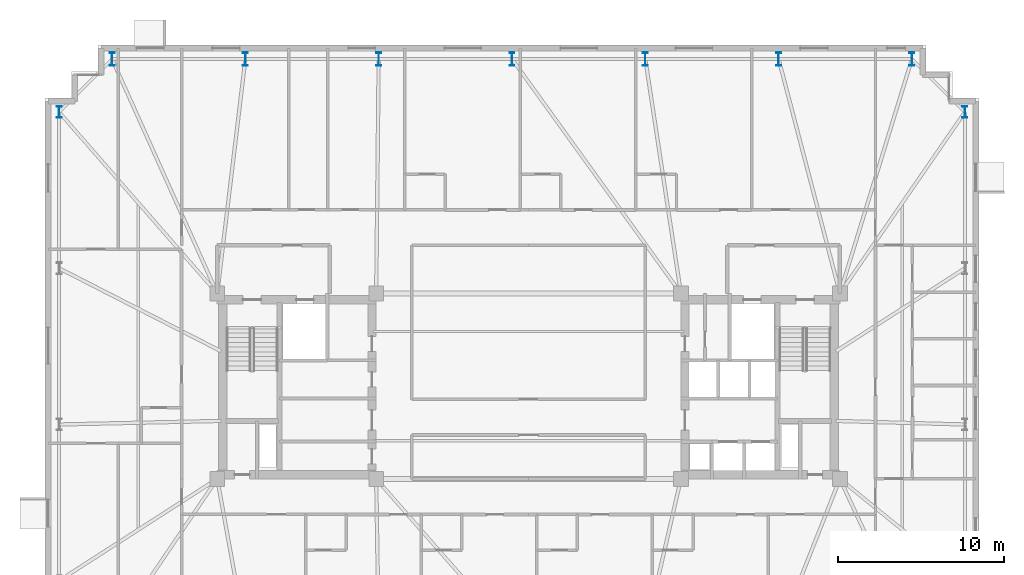
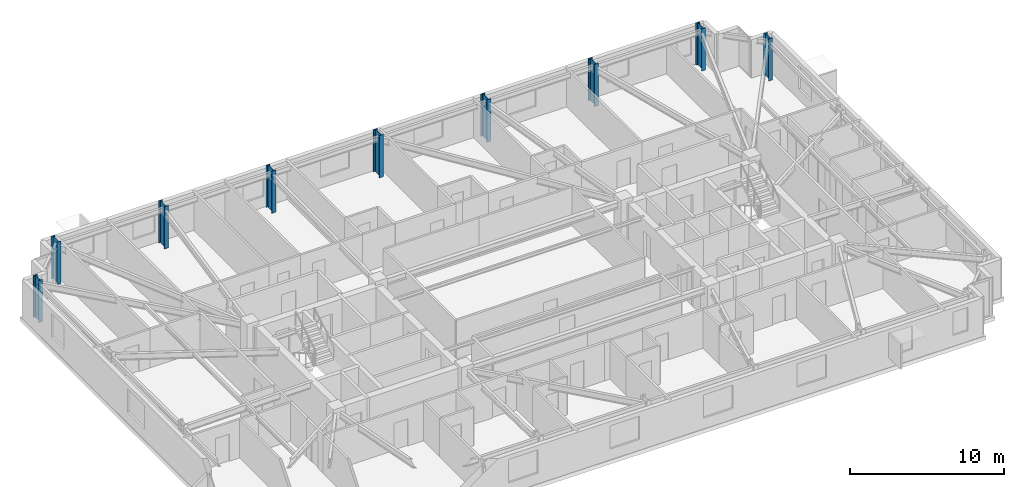
# One storey, part 2 of 17: 9 columns.
"""IFC4 building model written with IfcOpenShell, lengths in metres."""

from ifc_helpers import new_model, si_unit, direction, frame, origin, origin_2d, place, context, subcontext, project, spatial, i_section, extrude, material, material_profile, profile_set, type_object, element, save


model = new_model("IFC4")

# Units and contexts
model_context = context("Model", 3, precision=1e-05, world=origin(), true_north=direction((0.0, 1.0)))
body_context = subcontext(model_context, "Body", "Model", "MODEL_VIEW")
ifc_project = project(units=[si_unit("LENGTHUNIT", "METRE"), si_unit("AREAUNIT", "SQUARE_METRE"), si_unit("VOLUMEUNIT", "CUBIC_METRE"), si_unit("PLANEANGLEUNIT", "RADIAN"), si_unit("MASSUNIT", "GRAM", prefix="KILO")], contexts=[model_context])

# Site, building, storey
site_placement = place(None, origin())
site = spatial("IfcSite", under=ifc_project, at=site_placement, CompositionType="ELEMENT")
building_placement = place(site_placement, origin())
building = spatial("IfcBuilding", under=site, at=building_placement, Name="Qobustan Lattice House", CompositionType="ELEMENT")
storey_placement = place(building_placement, frame((0.0, 0.0, 161.14990234375)))
storey = spatial("IfcBuildingStorey", under=building, at=storey_placement, Name="L45", CompositionType="ELEMENT", Elevation=161.14990234375)

# Columns
ifc_material_1 = material(Name="Steel S355", Category="steel")
ifc_material_profile_1 = material_profile(ifc_material_1, i_section(OverallWidth=0.300048828125, OverallDepth=0.699951171875, WebThickness=0.01708984375, FlangeThickness=0.031982421875, FilletRadius=0.027099609375, at=origin_2d()), Name="HEB700")
ifc_profile_set_1 = profile_set([ifc_material_profile_1], Name="Steel S355")
column_type_1 = type_object("IfcColumnType", Name="COL-ST-HEB700", PredefinedType="COLUMN", material=ifc_profile_set_1)
for number, where, z_axis, x_axis, name in (
    (1, (26.35009765625, 16.550048828125, 0.0), (0.0, 0.0, 1.0), (1.0, 0.0, 0.0), "L45 B3 perimeter column E4"),
    (2, (-28.35009765625, 16.550048828125, 0.0), (0.0, 0.0, 1.0), (1.0, 0.0, 0.0), "L45 B3 perimeter column W1"),
):
    element("IfcColumn", number, at=place(storey_placement, frame(where, z_axis=z_axis, x_axis=x_axis)), inside=storey, type_object=column_type_1, Name=name, PredefinedType="COLUMN", context=body_context, shape_type="SweptSolid", body=[
        extrude(i_section(OverallWidth=0.300048828125, OverallDepth=0.699951171875, WebThickness=0.01708984375, FlangeThickness=0.031982421875, FilletRadius=0.027099609375, at=origin_2d()), origin(), (0.0, 0.0, 1.0), 3.35009765625),
    ])
ifc_material_2 = material(Name="Steel S355", Category="steel")
ifc_material_profile_2 = material_profile(ifc_material_2, i_section(OverallWidth=0.300048828125, OverallDepth=0.800048828125, WebThickness=0.017578125, FlangeThickness=0.032958984375, FilletRadius=0.030029296875, at=origin_2d()), Name="HEB800")
ifc_profile_set_2 = profile_set([ifc_material_profile_2], Name="Steel S355")
column_type_2 = type_object("IfcColumnType", Name="COL-ST-HEB800", PredefinedType="COLUMN", material=ifc_profile_set_2)
for number, where, z_axis, x_axis, name in (
    (3, (23.14990234375, 19.75, 0.0), (0.0, 0.0, 1.0), (1.0, 0.0, 0.0), "L45 B3 perimeter column N1"),
    (4, (15.10009765625, 19.75, 0.0), (0.0, 0.0, 1.0), (1.0, 0.0, 0.0), "L45 B3 perimeter column N2"),
    (5, (7.050048828125, 19.75, 0.0), (0.0, 0.0, 1.0), (1.0, 0.0, 0.0), "L45 B3 perimeter column N3"),
    (6, (-1.0, 19.75, 0.0), (0.0, 0.0, 1.0), (1.0, 0.0, 0.0), "L45 B3 perimeter column N4"),
    (7, (-9.050048828125, 19.75, 0.0), (0.0, 0.0, 1.0), (1.0, 0.0, 0.0), "L45 B3 perimeter column N5"),
    (8, (-17.10009765625, 19.75, 0.0), (0.0, 0.0, 1.0), (1.0, 0.0, 0.0), "L45 B3 perimeter column N6"),
    (9, (-25.14990234375, 19.75, 0.0), (0.0, 0.0, 1.0), (1.0, 0.0, 0.0), "L45 B3 perimeter column N7"),
):
    element("IfcColumn", number, at=place(storey_placement, frame(where, z_axis=z_axis, x_axis=x_axis)), inside=storey, type_object=column_type_2, Name=name, PredefinedType="COLUMN", context=body_context, shape_type="SweptSolid", body=[
        extrude(i_section(OverallWidth=0.300048828125, OverallDepth=0.800048828125, WebThickness=0.017578125, FlangeThickness=0.032958984375, FilletRadius=0.030029296875, at=origin_2d()), origin(), (0.0, 0.0, 1.0), 3.35009765625),
    ])

save(model, "model.ifc")
